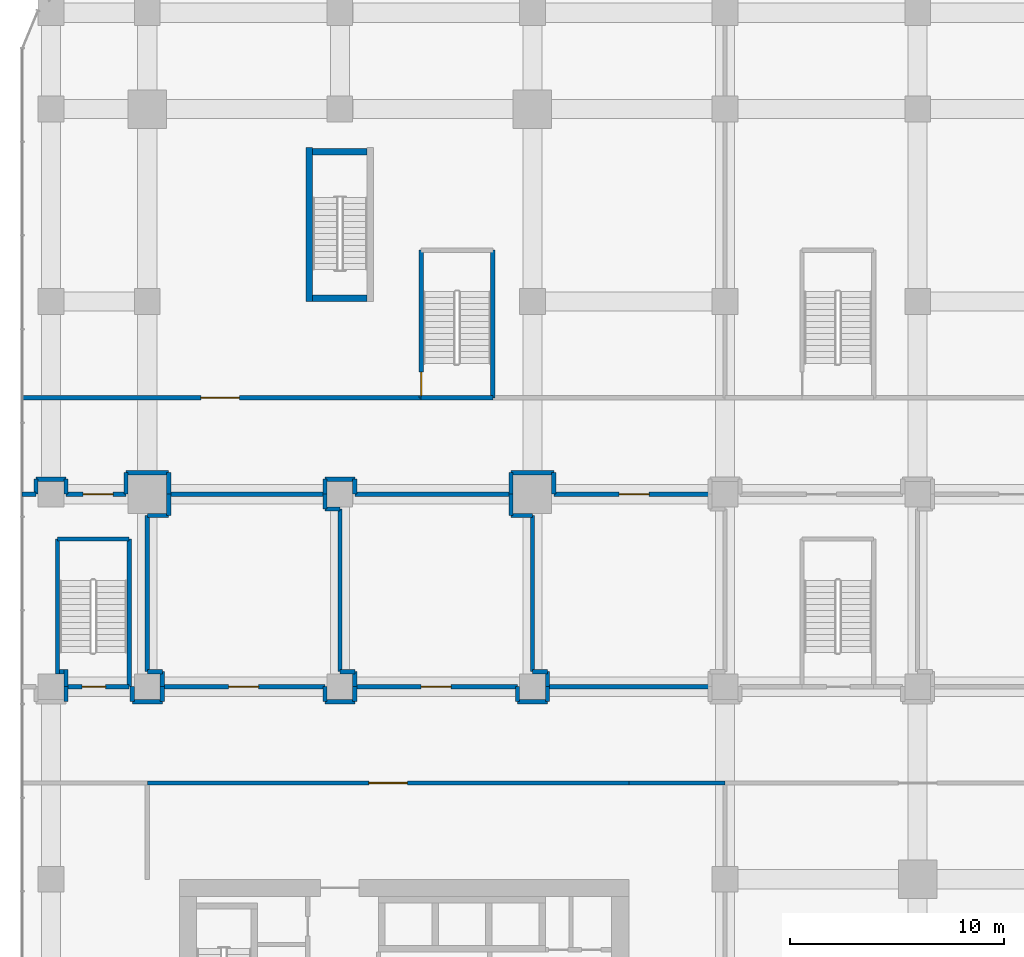
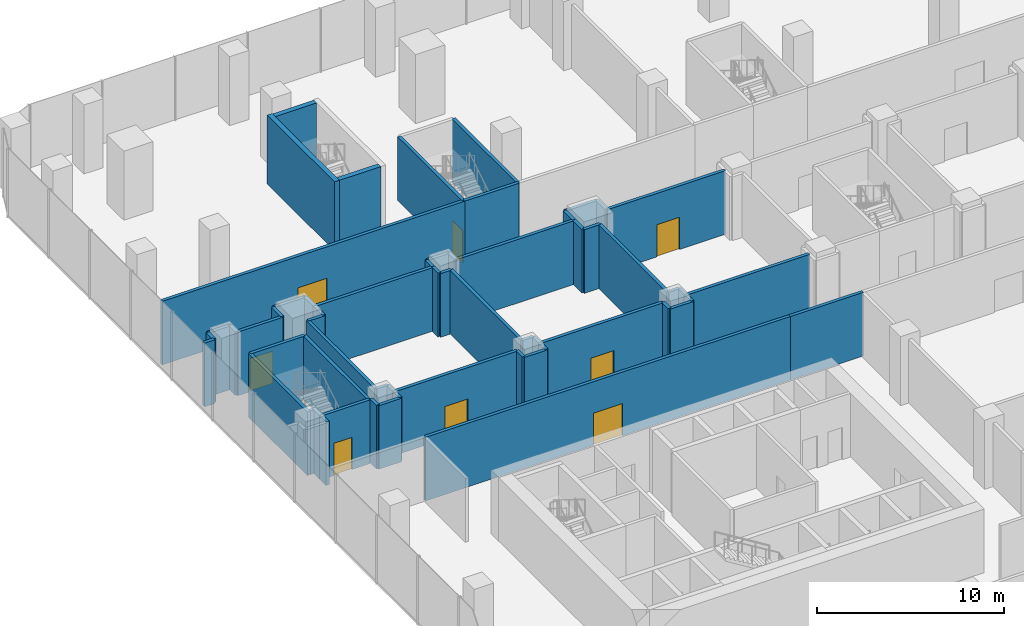
# One storey, part 31 of 43: 60 walls, 8 doors, 8 openings.
"""IFC4 building model written with IfcOpenShell, lengths in metres."""

from ifc_helpers import new_model, si_unit, direction, frame, frame_2d, origin, place, context, subcontext, project, spatial, rectangle, extrude, material, layer, layer_set, type_object, element, fill, save


model = new_model("IFC4")

# Units and contexts
model_context = context("Model", 3, precision=1e-05, world=origin(), true_north=direction((0.0, 1.0)))
body_context = subcontext(model_context, "Body", "Model", "MODEL_VIEW")
ifc_project = project(units=[si_unit("LENGTHUNIT", "METRE"), si_unit("AREAUNIT", "SQUARE_METRE"), si_unit("VOLUMEUNIT", "CUBIC_METRE"), si_unit("PLANEANGLEUNIT", "RADIAN"), si_unit("MASSUNIT", "GRAM", prefix="KILO")], contexts=[model_context])

# Site, building, storey
site_placement = place(None, origin())
site = spatial("IfcSite", under=ifc_project, at=site_placement, CompositionType="ELEMENT")
building_placement = place(site_placement, origin())
building = spatial("IfcBuilding", under=site, at=building_placement, Name="Plateau Cross Towers", CompositionType="ELEMENT")
storey_placement = place(building_placement, frame((0.0, 0.0, 17.300048828125)))
storey = spatial("IfcBuildingStorey", under=building, at=storey_placement, Name="L03", CompositionType="ELEMENT", Elevation=17.300048828125)

# Wall, opening, door
ifc_material_1 = material(Name="Gypsum board on steel studs", Category="steel")
ifc_layer_1 = layer(ifc_material_1, 0.199951171875)
ifc_layer_set_1 = layer_set([ifc_layer_1], Name="Gypsum board on steel studs")
wall_type_1 = type_object("IfcWallType", Name="Podium partition 200", PredefinedType="PARTITIONING", material=ifc_layer_set_1)
wall_1_placement = place(storey_placement, frame((0.0, 22.5, 0.0), z_axis=(0.0, 0.0, 1.0), x_axis=(1.0, 0.0, 0.0)))
wall_1 = element("IfcWall", 1, at=wall_1_placement, inside=storey, type_object=wall_type_1, Name="Partition wall", PredefinedType="PARTITIONING", context=body_context, shape_type="SweptSolid", body=[
    extrude(rectangle(XDim=22.5, YDim=0.199951171875, at=frame_2d((11.25, 0.0))), origin(), (0.0, 0.0, 1.0), 4.14990234375),
])
opening_1_placement = place(wall_1_placement, frame((10.35009765625, 0.0, 0.0)))
opening_1 = element("IfcOpeningElement", 2, at=opening_1_placement, cuts=wall_1, Name="Opening 03-36", PredefinedType="OPENING", context=body_context, shape_type="SweptSolid", body=[
    extrude(rectangle(XDim=1.800048828125, YDim=2.10009765625, at=frame_2d((0.89990234375, 1.050048828125))), frame((0.0, 0.10986328125, 0.0), z_axis=(0.0, -1.0, 0.0), x_axis=(1.0, 0.0, 0.0)), (0.0, 0.0, 1.0), 0.219970703125),
])
ifc_material_2 = material(Name="Aluminium frame, toughened glass", Category="aluminium")
door_type_1 = type_object("IfcDoorType", Name="Podium door pair 1800", OperationType="NOTDEFINED", PredefinedType="DOOR", material=ifc_material_2)
door_1_placement = place(opening_1_placement, origin())
door_1 = element("IfcDoor", 3, at=door_1_placement, inside=storey, type_object=door_type_1, Name="Door 03-36", OperationType="DOUBLE_DOOR_SINGLE_SWING", OverallHeight=2.10009765625, OverallWidth=1.800048828125, PredefinedType="DOOR", context=body_context, shape_type="SweptSolid", body=[
    extrude(rectangle(XDim=1.800048828125, YDim=2.10009765625, at=frame_2d((0.89990234375, 1.050048828125))), frame((0.0, 0.02490234375, 0.0), z_axis=(0.0, -1.0, 0.0), x_axis=(1.0, 0.0, 0.0)), (0.0, 0.0, 1.0), 0.050048828125),
])
fill(opening_1, door_1)

# Wall
wall_2_placement = place(storey_placement, frame((22.5, 22.5, 0.0), z_axis=(0.0, 0.0, 1.0), x_axis=(1.0, 0.0, 0.0)))
element("IfcWall", 4, at=wall_2_placement, inside=storey, type_object=wall_type_1, Name="Partition wall", PredefinedType="PARTITIONING", context=body_context, shape_type="SweptSolid", body=[
    extrude(rectangle(XDim=4.5, YDim=0.199951171875, at=frame_2d((2.25, 0.0))), origin(), (0.0, 0.0, 1.0), 4.14990234375),
])

# Wall, opening, door
wall_3_placement = place(storey_placement, frame((-5.85009765625, 40.5, 0.0), z_axis=(0.0, 0.0, 1.0), x_axis=(1.0, 0.0, 0.0)))
wall_3 = element("IfcWall", 5, at=wall_3_placement, inside=storey, type_object=wall_type_1, Name="Partition wall", PredefinedType="PARTITIONING", context=body_context, shape_type="SweptSolid", body=[
    extrude(rectangle(XDim=18.650146484375, YDim=0.199951171875, at=frame_2d((9.3251953125, 0.0))), origin(), (0.0, 0.0, 1.0), 4.14990234375),
])
opening_2_placement = place(wall_3_placement, frame((8.35009765625, 0.0, 0.0)))
opening_2 = element("IfcOpeningElement", 6, at=opening_2_placement, cuts=wall_3, Name="Opening 03-34", PredefinedType="OPENING", context=body_context, shape_type="SweptSolid", body=[
    extrude(rectangle(XDim=1.800048828125, YDim=2.10009765625, at=frame_2d((0.89990234375, 1.050048828125))), frame((0.0, 0.10986328125, 0.0), z_axis=(0.0, -1.0, 0.0), x_axis=(1.0, 0.0, 0.0)), (0.0, 0.0, 1.0), 0.219970703125),
])
door_2_placement = place(opening_2_placement, origin())
door_2 = element("IfcDoor", 7, at=door_2_placement, inside=storey, type_object=door_type_1, Name="Door 03-34", OperationType="DOUBLE_DOOR_SINGLE_SWING", OverallHeight=2.10009765625, OverallWidth=1.800048828125, PredefinedType="DOOR", context=body_context, shape_type="SweptSolid", body=[
    extrude(rectangle(XDim=1.800048828125, YDim=2.10009765625, at=frame_2d((0.89990234375, 1.050048828125))), frame((0.0, 0.02490234375, 0.0), z_axis=(0.0, -1.0, 0.0), x_axis=(1.0, 0.0, 0.0)), (0.0, 0.0, 1.0), 0.050048828125),
])
fill(opening_2, door_2)

wall_4_placement = place(storey_placement, frame((26.300048828125, 36.0, 0.0), z_axis=(0.0, 0.0, 1.0), x_axis=(-1.0, 0.0, 0.0)))
wall_4 = element("IfcWall", 8, at=wall_4_placement, inside=storey, type_object=wall_type_1, Name="Partition wall", PredefinedType="PARTITIONING", context=body_context, shape_type="SweptSolid", body=[
    extrude(rectangle(XDim=7.300048828125, YDim=0.199951171875, at=frame_2d((3.64990234375, 0.0))), origin(), (0.0, 0.0, 1.0), 4.14990234375),
])
opening_3_placement = place(wall_4_placement, frame((2.85009765625, 0.0, 0.0)))
opening_3 = element("IfcOpeningElement", 9, at=opening_3_placement, cuts=wall_4, Name="Opening 03-22", PredefinedType="OPENING", context=body_context, shape_type="SweptSolid", body=[
    extrude(rectangle(XDim=1.39990234375, YDim=2.10009765625, at=frame_2d((0.699951171875, 1.050048828125))), frame((0.0, 0.10986328125, 0.0), z_axis=(0.0, -1.0, 0.0), x_axis=(1.0, 0.0, 0.0)), (0.0, 0.0, 1.0), 0.219970703125),
])
ifc_material_3 = material(Name="Timber, hospital grade leaf", Category="wood")
door_type_2 = type_object("IfcDoorType", Name="Clinic bed access door 1400x2100", OperationType="NOTDEFINED", PredefinedType="DOOR", material=ifc_material_3)
door_3_placement = place(opening_3_placement, origin())
door_3 = element("IfcDoor", 10, at=door_3_placement, inside=storey, type_object=door_type_2, Name="Door 03-22", OperationType="SINGLE_SWING_LEFT", OverallHeight=2.10009765625, OverallWidth=1.39990234375, PredefinedType="DOOR", context=body_context, shape_type="SweptSolid", body=[
    extrude(rectangle(XDim=1.39990234375, YDim=2.10009765625, at=frame_2d((0.699951171875, 1.050048828125))), frame((0.0, 0.02490234375, 0.0), z_axis=(0.0, -1.0, 0.0), x_axis=(1.0, 0.0, 0.0)), (0.0, 0.0, 1.0), 0.050048828125),
])
fill(opening_3, door_3)

# Walls
wall_5_placement = place(storey_placement, frame((19.0, 36.0, 0.0), z_axis=(0.0, 0.0, 1.0), x_axis=(0.0, 1.0, 0.0)))
element("IfcWall", 11, at=wall_5_placement, inside=storey, type_object=wall_type_1, Name="Partition wall", PredefinedType="PARTITIONING", context=body_context, shape_type="SweptSolid", body=[
    extrude(rectangle(XDim=1.0, YDim=0.199951171875, at=frame_2d((0.5, 0.0))), origin(), (0.0, 0.0, 1.0), 4.14990234375),
])
wall_6_placement = place(storey_placement, frame((19.0, 37.0, 0.0), z_axis=(0.0, 0.0, 1.0), x_axis=(-1.0, 0.0, 0.0)))
element("IfcWall", 12, at=wall_6_placement, inside=storey, type_object=wall_type_1, Name="Partition wall", PredefinedType="PARTITIONING", context=body_context, shape_type="SweptSolid", body=[
    extrude(rectangle(XDim=2.0, YDim=0.199951171875, at=frame_2d((1.0, 0.0))), origin(), (0.0, 0.0, 1.0), 4.14990234375),
])
for number, where, z_axis, x_axis, name in (
    (13, (17.0, 37.0, 0.0), (0.0, 0.0, 1.0), (0.0, -1.0, 0.0), "Partition wall"),
    (14, (17.0, 36.0, 0.0), (0.0, 0.0, 1.0), (0.0, -1.0, 0.0), "Partition wall"),
    (15, (17.0, 35.0, 0.0), (0.0, 0.0, 1.0), (1.0, 0.0, 0.0), "Partition wall"),
):
    element("IfcWall", number, at=place(storey_placement, frame(where, z_axis=z_axis, x_axis=x_axis)), inside=storey, type_object=wall_type_1, Name=name, PredefinedType="PARTITIONING", context=body_context, shape_type="SweptSolid", body=[
        extrude(rectangle(XDim=1.0, YDim=0.199951171875, at=frame_2d((0.5, 0.0))), origin(), (0.0, 0.0, 1.0), 4.14990234375),
    ])
wall_7_placement = place(storey_placement, frame((18.0, 35.0, 0.0), z_axis=(0.0, 0.0, 1.0), x_axis=(0.0, -1.0, 0.0)))
element("IfcWall", 16, at=wall_7_placement, inside=storey, type_object=wall_type_1, Name="Partition wall", PredefinedType="PARTITIONING", context=body_context, shape_type="SweptSolid", body=[
    extrude(rectangle(XDim=7.300048828125, YDim=0.199951171875, at=frame_2d((3.64990234375, 0.0))), origin(), (0.0, 0.0, 1.0), 4.14990234375),
])
for number, where, z_axis, x_axis, name in (
    (17, (18.0, 27.699951171875, 0.0), (0.0, 0.0, 1.0), (1.0, 0.0, 0.0), "Partition wall"),
    (18, (18.699951171875, 27.699951171875, 0.0), (0.0, 0.0, 1.0), (0.0, -1.0, 0.0), "Partition wall"),
):
    element("IfcWall", number, at=place(storey_placement, frame(where, z_axis=z_axis, x_axis=x_axis)), inside=storey, type_object=wall_type_1, Name=name, PredefinedType="PARTITIONING", context=body_context, shape_type="SweptSolid", body=[
        extrude(rectangle(XDim=0.699951171875, YDim=0.199951171875, at=frame_2d((0.35009765625, 0.0))), origin(), (0.0, 0.0, 1.0), 4.14990234375),
    ])
for number, where, z_axis, x_axis, name in (
    (19, (1.0, 36.0, 0.0), (0.0, 0.0, 1.0), (0.0, -1.0, 0.0), "Partition wall"),
    (20, (1.0, 35.0, 0.0), (0.0, 0.0, 1.0), (-1.0, 0.0, 0.0), "Partition wall"),
):
    element("IfcWall", number, at=place(storey_placement, frame(where, z_axis=z_axis, x_axis=x_axis)), inside=storey, type_object=wall_type_1, Name=name, PredefinedType="PARTITIONING", context=body_context, shape_type="SweptSolid", body=[
        extrude(rectangle(XDim=1.0, YDim=0.199951171875, at=frame_2d((0.5, 0.0))), origin(), (0.0, 0.0, 1.0), 4.14990234375),
    ])
wall_8_placement = place(storey_placement, frame((0.0, 35.0, 0.0), z_axis=(0.0, 0.0, 1.0), x_axis=(0.0, -1.0, 0.0)))
element("IfcWall", 21, at=wall_8_placement, inside=storey, type_object=wall_type_1, Name="Partition wall", PredefinedType="PARTITIONING", context=body_context, shape_type="SweptSolid", body=[
    extrude(rectangle(XDim=7.300048828125, YDim=0.199951171875, at=frame_2d((3.64990234375, 0.0))), origin(), (0.0, 0.0, 1.0), 4.14990234375),
])
for number, where, z_axis, x_axis, name in (
    (22, (0.0, 27.699951171875, 0.0), (0.0, 0.0, 1.0), (1.0, 0.0, 0.0), "Partition wall"),
    (23, (0.699951171875, 27.699951171875, 0.0), (0.0, 0.0, 1.0), (0.0, -1.0, 0.0), "Partition wall"),
):
    element("IfcWall", number, at=place(storey_placement, frame(where, z_axis=z_axis, x_axis=x_axis)), inside=storey, type_object=wall_type_1, Name=name, PredefinedType="PARTITIONING", context=body_context, shape_type="SweptSolid", body=[
        extrude(rectangle(XDim=0.699951171875, YDim=0.199951171875, at=frame_2d((0.35009765625, 0.0))), origin(), (0.0, 0.0, 1.0), 4.14990234375),
    ])

# Wall, opening, door
wall_9_placement = place(storey_placement, frame((9.699951171875, 27.0, 0.0), z_axis=(0.0, 0.0, 1.0), x_axis=(1.0, 0.0, 0.0)))
wall_9 = element("IfcWall", 24, at=wall_9_placement, inside=storey, type_object=wall_type_1, Name="Partition wall", PredefinedType="PARTITIONING", context=body_context, shape_type="SweptSolid", body=[
    extrude(rectangle(XDim=7.60009765625, YDim=0.199951171875, at=frame_2d((3.800048828125, 0.0))), origin(), (0.0, 0.0, 1.0), 4.14990234375),
])
opening_4_placement = place(wall_9_placement, frame((3.10009765625, 0.0, 0.0)))
opening_4 = element("IfcOpeningElement", 25, at=opening_4_placement, cuts=wall_9, Name="Opening 03-21", PredefinedType="OPENING", context=body_context, shape_type="SweptSolid", body=[
    extrude(rectangle(XDim=1.39990234375, YDim=2.10009765625, at=frame_2d((0.699951171875, 1.050048828125))), frame((0.0, 0.10986328125, 0.0), z_axis=(0.0, -1.0, 0.0), x_axis=(1.0, 0.0, 0.0)), (0.0, 0.0, 1.0), 0.219970703125),
])
door_4_placement = place(opening_4_placement, origin())
door_4 = element("IfcDoor", 26, at=door_4_placement, inside=storey, type_object=door_type_2, Name="Door 03-21", OperationType="SINGLE_SWING_LEFT", OverallHeight=2.10009765625, OverallWidth=1.39990234375, PredefinedType="DOOR", context=body_context, shape_type="SweptSolid", body=[
    extrude(rectangle(XDim=1.39990234375, YDim=2.10009765625, at=frame_2d((0.699951171875, 1.050048828125))), frame((0.0, 0.02490234375, 0.0), z_axis=(0.0, -1.0, 0.0), x_axis=(1.0, 0.0, 0.0)), (0.0, 0.0, 1.0), 0.050048828125),
])
fill(opening_4, door_4)

# Walls
wall_10_placement = place(storey_placement, frame((17.300048828125, 27.0, 0.0), z_axis=(0.0, 0.0, 1.0), x_axis=(0.0, -1.0, 0.0)))
element("IfcWall", 27, at=wall_10_placement, inside=storey, type_object=wall_type_1, Name="Partition wall", PredefinedType="PARTITIONING", context=body_context, shape_type="SweptSolid", body=[
    extrude(rectangle(XDim=0.699951171875, YDim=0.199951171875, at=frame_2d((0.35009765625, 0.0))), origin(), (0.0, 0.0, 1.0), 4.14990234375),
])
wall_11_placement = place(storey_placement, frame((17.300048828125, 26.300048828125, 0.0), z_axis=(0.0, 0.0, 1.0), x_axis=(1.0, 0.0, 0.0)))
element("IfcWall", 28, at=wall_11_placement, inside=storey, type_object=wall_type_1, Name="Partition wall", PredefinedType="PARTITIONING", context=body_context, shape_type="SweptSolid", body=[
    extrude(rectangle(XDim=1.39990234375, YDim=0.199951171875, at=frame_2d((0.699951171875, 0.0))), origin(), (0.0, 0.0, 1.0), 4.14990234375),
])
wall_12_placement = place(storey_placement, frame((18.699951171875, 26.300048828125, 0.0), z_axis=(0.0, 0.0, 1.0), x_axis=(0.0, 1.0, 0.0)))
element("IfcWall", 29, at=wall_12_placement, inside=storey, type_object=wall_type_1, Name="Partition wall", PredefinedType="PARTITIONING", context=body_context, shape_type="SweptSolid", body=[
    extrude(rectangle(XDim=0.699951171875, YDim=0.199951171875, at=frame_2d((0.35009765625, 0.0))), origin(), (0.0, 0.0, 1.0), 4.14990234375),
])

# Wall, opening, door
wall_13_placement = place(storey_placement, frame((0.699951171875, 27.0, 0.0), z_axis=(0.0, 0.0, 1.0), x_axis=(1.0, 0.0, 0.0)))
wall_13 = element("IfcWall", 30, at=wall_13_placement, inside=storey, type_object=wall_type_1, Name="Partition wall", PredefinedType="PARTITIONING", context=body_context, shape_type="SweptSolid", body=[
    extrude(rectangle(XDim=7.60009765625, YDim=0.199951171875, at=frame_2d((3.800048828125, 0.0))), origin(), (0.0, 0.0, 1.0), 4.14990234375),
])
opening_5_placement = place(wall_13_placement, frame((3.10009765625, 0.0, 0.0)))
opening_5 = element("IfcOpeningElement", 31, at=opening_5_placement, cuts=wall_13, Name="Opening 03-20", PredefinedType="OPENING", context=body_context, shape_type="SweptSolid", body=[
    extrude(rectangle(XDim=1.39990234375, YDim=2.10009765625, at=frame_2d((0.699951171875, 1.050048828125))), frame((0.0, 0.10986328125, 0.0), z_axis=(0.0, -1.0, 0.0), x_axis=(1.0, 0.0, 0.0)), (0.0, 0.0, 1.0), 0.219970703125),
])
door_5_placement = place(opening_5_placement, origin())
door_5 = element("IfcDoor", 32, at=door_5_placement, inside=storey, type_object=door_type_2, Name="Door 03-20", OperationType="SINGLE_SWING_LEFT", OverallHeight=2.10009765625, OverallWidth=1.39990234375, PredefinedType="DOOR", context=body_context, shape_type="SweptSolid", body=[
    extrude(rectangle(XDim=1.39990234375, YDim=2.10009765625, at=frame_2d((0.699951171875, 1.050048828125))), frame((0.0, 0.02490234375, 0.0), z_axis=(0.0, -1.0, 0.0), x_axis=(1.0, 0.0, 0.0)), (0.0, 0.0, 1.0), 0.050048828125),
])
fill(opening_5, door_5)

# Walls
wall_14_placement = place(storey_placement, frame((8.300048828125, 27.0, 0.0), z_axis=(0.0, 0.0, 1.0), x_axis=(0.0, -1.0, 0.0)))
element("IfcWall", 33, at=wall_14_placement, inside=storey, type_object=wall_type_1, Name="Partition wall", PredefinedType="PARTITIONING", context=body_context, shape_type="SweptSolid", body=[
    extrude(rectangle(XDim=0.699951171875, YDim=0.199951171875, at=frame_2d((0.35009765625, 0.0))), origin(), (0.0, 0.0, 1.0), 4.14990234375),
])
wall_15_placement = place(storey_placement, frame((8.300048828125, 26.300048828125, 0.0), z_axis=(0.0, 0.0, 1.0), x_axis=(1.0, 0.0, 0.0)))
element("IfcWall", 34, at=wall_15_placement, inside=storey, type_object=wall_type_1, Name="Partition wall", PredefinedType="PARTITIONING", context=body_context, shape_type="SweptSolid", body=[
    extrude(rectangle(XDim=1.39990234375, YDim=0.199951171875, at=frame_2d((0.699951171875, 0.0))), origin(), (0.0, 0.0, 1.0), 4.14990234375),
])
wall_16_placement = place(storey_placement, frame((9.699951171875, 26.300048828125, 0.0), z_axis=(0.0, 0.0, 1.0), x_axis=(0.0, 1.0, 0.0)))
element("IfcWall", 35, at=wall_16_placement, inside=storey, type_object=wall_type_1, Name="Partition wall", PredefinedType="PARTITIONING", context=body_context, shape_type="SweptSolid", body=[
    extrude(rectangle(XDim=0.699951171875, YDim=0.199951171875, at=frame_2d((0.35009765625, 0.0))), origin(), (0.0, 0.0, 1.0), 4.14990234375),
])
wall_17_placement = place(storey_placement, frame((16.89990234375, 36.0, 0.0), z_axis=(0.0, 0.0, 1.0), x_axis=(-1.0, 0.0, 0.0)))
element("IfcWall", 36, at=wall_17_placement, inside=storey, type_object=wall_type_1, Name="Partition wall", PredefinedType="PARTITIONING", context=body_context, shape_type="SweptSolid", body=[
    extrude(rectangle(XDim=7.199951171875, YDim=0.199951171875, at=frame_2d((3.60009765625, 0.0))), origin(), (0.0, 0.0, 1.0), 4.14990234375),
])
wall_18_placement = place(storey_placement, frame((9.699951171875, 36.0, 0.0), z_axis=(0.0, 0.0, 1.0), x_axis=(0.0, 1.0, 0.0)))
element("IfcWall", 37, at=wall_18_placement, inside=storey, type_object=wall_type_1, Name="Partition wall", PredefinedType="PARTITIONING", context=body_context, shape_type="SweptSolid", body=[
    extrude(rectangle(XDim=0.699951171875, YDim=0.199951171875, at=frame_2d((0.35009765625, 0.0))), origin(), (0.0, 0.0, 1.0), 4.14990234375),
])
wall_19_placement = place(storey_placement, frame((9.699951171875, 36.699951171875, 0.0), z_axis=(0.0, 0.0, 1.0), x_axis=(-1.0, 0.0, 0.0)))
element("IfcWall", 38, at=wall_19_placement, inside=storey, type_object=wall_type_1, Name="Partition wall", PredefinedType="PARTITIONING", context=body_context, shape_type="SweptSolid", body=[
    extrude(rectangle(XDim=1.39990234375, YDim=0.199951171875, at=frame_2d((0.699951171875, 0.0))), origin(), (0.0, 0.0, 1.0), 4.14990234375),
])
for number, where, z_axis, x_axis, name in (
    (39, (8.300048828125, 36.699951171875, 0.0), (0.0, 0.0, 1.0), (0.0, -1.0, 0.0), "Partition wall"),
    (40, (8.300048828125, 36.0, 0.0), (0.0, 0.0, 1.0), (0.0, -1.0, 0.0), "Partition wall"),
    (41, (8.300048828125, 35.300048828125, 0.0), (0.0, 0.0, 1.0), (1.0, 0.0, 0.0), "Partition wall"),
):
    element("IfcWall", number, at=place(storey_placement, frame(where, z_axis=z_axis, x_axis=x_axis)), inside=storey, type_object=wall_type_1, Name=name, PredefinedType="PARTITIONING", context=body_context, shape_type="SweptSolid", body=[
        extrude(rectangle(XDim=0.699951171875, YDim=0.199951171875, at=frame_2d((0.35009765625, 0.0))), origin(), (0.0, 0.0, 1.0), 4.14990234375),
    ])
wall_20_placement = place(storey_placement, frame((9.0, 35.300048828125, 0.0), z_axis=(0.0, 0.0, 1.0), x_axis=(0.0, -1.0, 0.0)))
element("IfcWall", 42, at=wall_20_placement, inside=storey, type_object=wall_type_1, Name="Partition wall", PredefinedType="PARTITIONING", context=body_context, shape_type="SweptSolid", body=[
    extrude(rectangle(XDim=7.60009765625, YDim=0.199951171875, at=frame_2d((3.800048828125, 0.0))), origin(), (0.0, 0.0, 1.0), 4.14990234375),
])
wall_21_placement = place(storey_placement, frame((18.800048828125, 27.0, 0.0), z_axis=(0.0, 0.0, 1.0), x_axis=(1.0, 0.0, 0.0)))
element("IfcWall", 43, at=wall_21_placement, inside=storey, type_object=wall_type_1, Name="Partition wall", PredefinedType="PARTITIONING", context=body_context, shape_type="SweptSolid", body=[
    extrude(rectangle(XDim=7.5, YDim=0.199951171875, at=frame_2d((3.75, 0.0))), origin(), (0.0, 0.0, 1.0), 4.14990234375),
])
wall_22_placement = place(storey_placement, frame((8.199951171875, 36.0, 0.0), z_axis=(0.0, 0.0, 1.0), x_axis=(-1.0, 0.0, 0.0)))
element("IfcWall", 44, at=wall_22_placement, inside=storey, type_object=wall_type_1, Name="Partition wall", PredefinedType="PARTITIONING", context=body_context, shape_type="SweptSolid", body=[
    extrude(rectangle(XDim=7.199951171875, YDim=0.199951171875, at=frame_2d((3.60009765625, 0.0))), origin(), (0.0, 0.0, 1.0), 4.14990234375),
])
wall_23_placement = place(storey_placement, frame((1.0, 36.0, 0.0), z_axis=(0.0, 0.0, 1.0), x_axis=(0.0, 1.0, 0.0)))
element("IfcWall", 45, at=wall_23_placement, inside=storey, type_object=wall_type_1, Name="Partition wall", PredefinedType="PARTITIONING", context=body_context, shape_type="SweptSolid", body=[
    extrude(rectangle(XDim=1.0, YDim=0.199951171875, at=frame_2d((0.5, 0.0))), origin(), (0.0, 0.0, 1.0), 4.14990234375),
])
wall_24_placement = place(storey_placement, frame((1.0, 37.0, 0.0), z_axis=(0.0, 0.0, 1.0), x_axis=(-1.0, 0.0, 0.0)))
element("IfcWall", 46, at=wall_24_placement, inside=storey, type_object=wall_type_1, Name="Partition wall", PredefinedType="PARTITIONING", context=body_context, shape_type="SweptSolid", body=[
    extrude(rectangle(XDim=2.0, YDim=0.199951171875, at=frame_2d((1.0, 0.0))), origin(), (0.0, 0.0, 1.0), 4.14990234375),
])
wall_25_placement = place(storey_placement, frame((-1.0, 37.0, 0.0), z_axis=(0.0, 0.0, 1.0), x_axis=(0.0, -1.0, 0.0)))
element("IfcWall", 47, at=wall_25_placement, inside=storey, type_object=wall_type_1, Name="Partition wall", PredefinedType="PARTITIONING", context=body_context, shape_type="SweptSolid", body=[
    extrude(rectangle(XDim=1.0, YDim=0.199951171875, at=frame_2d((0.5, 0.0))), origin(), (0.0, 0.0, 1.0), 4.14990234375),
])

# Wall, opening, door
wall_26_placement = place(storey_placement, frame((-1.0, 36.0, 0.0), z_axis=(0.0, 0.0, 1.0), x_axis=(-1.0, 0.0, 0.0)))
wall_26 = element("IfcWall", 48, at=wall_26_placement, inside=storey, type_object=wall_type_1, Name="Partition wall", PredefinedType="PARTITIONING", context=body_context, shape_type="SweptSolid", body=[
    extrude(rectangle(XDim=2.800048828125, YDim=0.199951171875, at=frame_2d((1.39990234375, 0.0))), origin(), (0.0, 0.0, 1.0), 4.14990234375),
])
opening_6_placement = place(wall_26_placement, frame((0.60009765625, 0.0, 0.0)))
opening_6 = element("IfcOpeningElement", 49, at=opening_6_placement, cuts=wall_26, Name="Opening 03-19", PredefinedType="OPENING", context=body_context, shape_type="SweptSolid", body=[
    extrude(rectangle(XDim=1.39990234375, YDim=2.10009765625, at=frame_2d((0.699951171875, 1.050048828125))), frame((0.0, 0.10986328125, 0.0), z_axis=(0.0, -1.0, 0.0), x_axis=(1.0, 0.0, 0.0)), (0.0, 0.0, 1.0), 0.219970703125),
])
door_6_placement = place(opening_6_placement, origin())
door_6 = element("IfcDoor", 50, at=door_6_placement, inside=storey, type_object=door_type_2, Name="Door 03-19", OperationType="SINGLE_SWING_LEFT", OverallHeight=2.10009765625, OverallWidth=1.39990234375, PredefinedType="DOOR", context=body_context, shape_type="SweptSolid", body=[
    extrude(rectangle(XDim=1.39990234375, YDim=2.10009765625, at=frame_2d((0.699951171875, 1.050048828125))), frame((0.0, 0.02490234375, 0.0), z_axis=(0.0, -1.0, 0.0), x_axis=(1.0, 0.0, 0.0)), (0.0, 0.0, 1.0), 0.050048828125),
])
fill(opening_6, door_6)

# Walls
for number, where, z_axis, x_axis, name in (
    (51, (-3.800048828125, 26.300048828125, 0.0), (0.0, 0.0, 1.0), (0.0, 1.0, 0.0), "Partition wall"),
    (52, (-3.800048828125, 36.0, 0.0), (0.0, 0.0, 1.0), (0.0, 1.0, 0.0), "Partition wall"),
):
    element("IfcWall", number, at=place(storey_placement, frame(where, z_axis=z_axis, x_axis=x_axis)), inside=storey, type_object=wall_type_1, Name=name, PredefinedType="PARTITIONING", context=body_context, shape_type="SweptSolid", body=[
        extrude(rectangle(XDim=0.699951171875, YDim=0.199951171875, at=frame_2d((0.35009765625, 0.0))), origin(), (0.0, 0.0, 1.0), 4.14990234375),
    ])
wall_27_placement = place(storey_placement, frame((-3.800048828125, 36.699951171875, 0.0), z_axis=(0.0, 0.0, 1.0), x_axis=(-1.0, 0.0, 0.0)))
element("IfcWall", 53, at=wall_27_placement, inside=storey, type_object=wall_type_1, Name="Partition wall", PredefinedType="PARTITIONING", context=body_context, shape_type="SweptSolid", body=[
    extrude(rectangle(XDim=1.39990234375, YDim=0.199951171875, at=frame_2d((0.699951171875, 0.0))), origin(), (0.0, 0.0, 1.0), 4.14990234375),
])
wall_28_placement = place(storey_placement, frame((-5.199951171875, 36.699951171875, 0.0), z_axis=(0.0, 0.0, 1.0), x_axis=(0.0, -1.0, 0.0)))
element("IfcWall", 54, at=wall_28_placement, inside=storey, type_object=wall_type_1, Name="Partition wall", PredefinedType="PARTITIONING", context=body_context, shape_type="SweptSolid", body=[
    extrude(rectangle(XDim=0.699951171875, YDim=0.199951171875, at=frame_2d((0.35009765625, 0.0))), origin(), (0.0, 0.0, 1.0), 4.14990234375),
])
wall_29_placement = place(storey_placement, frame((-5.199951171875, 36.0, 0.0), z_axis=(0.0, 0.0, 1.0), x_axis=(-1.0, 0.0, 0.0)))
element("IfcWall", 55, at=wall_29_placement, inside=storey, type_object=wall_type_1, Name="Partition wall", PredefinedType="PARTITIONING", context=body_context, shape_type="SweptSolid", body=[
    extrude(rectangle(XDim=0.650146484375, YDim=0.199951171875, at=frame_2d((0.3251953125, 0.0))), origin(), (0.0, 0.0, 1.0), 4.14990234375),
])
wall_30_placement = place(storey_placement, frame((-0.699951171875, 27.0, 0.0), z_axis=(0.0, 0.0, 1.0), x_axis=(0.0, -1.0, 0.0)))
element("IfcWall", 56, at=wall_30_placement, inside=storey, type_object=wall_type_1, Name="Partition wall", PredefinedType="PARTITIONING", context=body_context, shape_type="SweptSolid", body=[
    extrude(rectangle(XDim=0.699951171875, YDim=0.199951171875, at=frame_2d((0.35009765625, 0.0))), origin(), (0.0, 0.0, 1.0), 4.14990234375),
])
wall_31_placement = place(storey_placement, frame((-0.699951171875, 26.300048828125, 0.0), z_axis=(0.0, 0.0, 1.0), x_axis=(1.0, 0.0, 0.0)))
element("IfcWall", 57, at=wall_31_placement, inside=storey, type_object=wall_type_1, Name="Partition wall", PredefinedType="PARTITIONING", context=body_context, shape_type="SweptSolid", body=[
    extrude(rectangle(XDim=1.39990234375, YDim=0.199951171875, at=frame_2d((0.699951171875, 0.0))), origin(), (0.0, 0.0, 1.0), 4.14990234375),
])
for number, where, z_axis, x_axis, name in (
    (58, (9.0, 27.699951171875, 0.0), (0.0, 0.0, 1.0), (1.0, 0.0, 0.0), "Partition wall"),
    (59, (9.699951171875, 27.699951171875, 0.0), (0.0, 0.0, 1.0), (0.0, -1.0, 0.0), "Partition wall"),
    (60, (0.699951171875, 26.300048828125, 0.0), (0.0, 0.0, 1.0), (0.0, 1.0, 0.0), "Partition wall"),
):
    element("IfcWall", number, at=place(storey_placement, frame(where, z_axis=z_axis, x_axis=x_axis)), inside=storey, type_object=wall_type_1, Name=name, PredefinedType="PARTITIONING", context=body_context, shape_type="SweptSolid", body=[
        extrude(rectangle(XDim=0.699951171875, YDim=0.199951171875, at=frame_2d((0.35009765625, 0.0))), origin(), (0.0, 0.0, 1.0), 4.14990234375),
    ])

# Wall, opening, door
ifc_material_4 = material(Name="Fire-rated plasterboard shaft wall system")
ifc_layer_2 = layer(ifc_material_4, 0.199951171875)
ifc_layer_set_2 = layer_set([ifc_layer_2], Name="Fire-rated plasterboard shaft wall system")
wall_type_2 = type_object("IfcWallType", Name="Podium stair shaft wall 200", PredefinedType="PARTITIONING", material=ifc_layer_set_2)
wall_32_placement = place(storey_placement, frame((12.800048828125, 40.5, 0.0), z_axis=(0.0, 0.0, 1.0), x_axis=(0.0, 1.0, 0.0)))
wall_32 = element("IfcWall", 61, at=wall_32_placement, inside=storey, type_object=wall_type_2, Name="Partition wall", PredefinedType="PARTITIONING", context=body_context, shape_type="SweptSolid", body=[
    extrude(rectangle(XDim=6.89990234375, YDim=0.199951171875, at=frame_2d((3.449951171875, 0.0))), origin(), (0.0, 0.0, 1.0), 4.14990234375),
])
opening_7_placement = place(wall_32_placement, frame((0.10009765625, 0.0, 0.0)))
opening_7 = element("IfcOpeningElement", 62, at=opening_7_placement, cuts=wall_32, Name="Opening 03-06", PredefinedType="OPENING", context=body_context, shape_type="SweptSolid", body=[
    extrude(rectangle(XDim=1.10009765625, YDim=2.10009765625, at=frame_2d((0.550048828125, 1.050048828125))), frame((0.0, 0.10986328125, 0.0), z_axis=(0.0, -1.0, 0.0), x_axis=(1.0, 0.0, 0.0)), (0.0, 0.0, 1.0), 0.219970703125),
])
ifc_material_5 = material(Name="Steel, fire-resisting leaf", Category="steel")
door_type_3 = type_object("IfcDoorType", Name="Podium stair door 1100", OperationType="NOTDEFINED", PredefinedType="DOOR", material=ifc_material_5)
door_7_placement = place(opening_7_placement, origin())
door_7 = element("IfcDoor", 63, at=door_7_placement, inside=storey, type_object=door_type_3, Name="Door 03-06", OperationType="SINGLE_SWING_LEFT", OverallHeight=2.10009765625, OverallWidth=1.10009765625, PredefinedType="DOOR", context=body_context, shape_type="SweptSolid", body=[
    extrude(rectangle(XDim=1.10009765625, YDim=2.10009765625, at=frame_2d((0.550048828125, 1.050048828125))), frame((0.0, 0.02490234375, 0.0), z_axis=(0.0, -1.0, 0.0), x_axis=(1.0, 0.0, 0.0)), (0.0, 0.0, 1.0), 0.050048828125),
])
fill(opening_7, door_7)

# Walls
wall_33_placement = place(storey_placement, frame((16.14990234375, 47.39990234375, 0.0), z_axis=(0.0, 0.0, 1.0), x_axis=(0.0, -1.0, 0.0)))
element("IfcWall", 64, at=wall_33_placement, inside=storey, type_object=wall_type_2, Name="Partition wall", PredefinedType="PARTITIONING", context=body_context, shape_type="SweptSolid", body=[
    extrude(rectangle(XDim=6.89990234375, YDim=0.199951171875, at=frame_2d((3.449951171875, 0.0))), origin(), (0.0, 0.0, 1.0), 4.14990234375),
])
wall_34_placement = place(storey_placement, frame((-4.199951171875, 33.89990234375, 0.0), z_axis=(0.0, 0.0, 1.0), x_axis=(1.0, 0.0, 0.0)))
element("IfcWall", 65, at=wall_34_placement, inside=storey, type_object=wall_type_2, Name="Partition wall", PredefinedType="PARTITIONING", context=body_context, shape_type="SweptSolid", body=[
    extrude(rectangle(XDim=3.349853515625, YDim=0.199951171875, at=frame_2d((1.6748046875, 0.0))), origin(), (0.0, 0.0, 1.0), 4.14990234375),
])
wall_35_placement = place(storey_placement, frame((-0.85009765625, 33.89990234375, 0.0), z_axis=(0.0, 0.0, 1.0), x_axis=(0.0, -1.0, 0.0)))
element("IfcWall", 66, at=wall_35_placement, inside=storey, type_object=wall_type_2, Name="Partition wall", PredefinedType="PARTITIONING", context=body_context, shape_type="SweptSolid", body=[
    extrude(rectangle(XDim=6.89990234375, YDim=0.199951171875, at=frame_2d((3.449951171875, 0.0))), origin(), (0.0, 0.0, 1.0), 4.14990234375),
])
wall_36_placement = place(storey_placement, frame((-3.800048828125, 27.0, 0.0), z_axis=(0.0, 0.0, 1.0), x_axis=(0.0, 1.0, 0.0)))
element("IfcWall", 67, at=wall_36_placement, inside=storey, type_object=wall_type_2, Name="Partition wall", PredefinedType="PARTITIONING", context=body_context, shape_type="SweptSolid", body=[
    extrude(rectangle(XDim=0.800048828125, YDim=0.199951171875, at=frame_2d((0.39990234375, 0.0))), origin(), (0.0, 0.0, 1.0), 4.14990234375),
])
wall_37_placement = place(storey_placement, frame((-3.89990234375, 27.699951171875, 0.0), z_axis=(0.0, 0.0, 1.0), x_axis=(-1.0, 0.0, 0.0)))
element("IfcWall", 68, at=wall_37_placement, inside=storey, type_object=wall_type_2, Name="Partition wall", PredefinedType="PARTITIONING", context=body_context, shape_type="SweptSolid", body=[
    extrude(rectangle(XDim=0.2001953125, YDim=0.199951171875, at=frame_2d((0.10009765625, 0.0))), origin(), (0.0, 0.0, 1.0), 4.14990234375),
])
wall_38_placement = place(storey_placement, frame((-4.199951171875, 27.60009765625, 0.0), z_axis=(0.0, 0.0, 1.0), x_axis=(0.0, 1.0, 0.0)))
element("IfcWall", 69, at=wall_38_placement, inside=storey, type_object=wall_type_2, Name="Partition wall", PredefinedType="PARTITIONING", context=body_context, shape_type="SweptSolid", body=[
    extrude(rectangle(XDim=6.2998046875, YDim=0.199951171875, at=frame_2d((3.14990234375, 0.0))), origin(), (0.0, 0.0, 1.0), 4.14990234375),
])
wall_39_placement = place(storey_placement, frame((16.14990234375, 40.5, 0.0), z_axis=(0.0, 0.0, 1.0), x_axis=(-1.0, 0.0, 0.0)))
element("IfcWall", 70, at=wall_39_placement, inside=storey, type_object=wall_type_2, Name="Partition wall", PredefinedType="PARTITIONING", context=body_context, shape_type="SweptSolid", body=[
    extrude(rectangle(XDim=3.349853515625, YDim=0.199951171875, at=frame_2d((1.6748046875, 0.0))), origin(), (0.0, 0.0, 1.0), 4.14990234375),
])

# Wall, opening, door
wall_40_placement = place(storey_placement, frame((-0.85009765625, 27.0, 0.0), z_axis=(0.0, 0.0, 1.0), x_axis=(-1.0, 0.0, 0.0)))
wall_40 = element("IfcWall", 71, at=wall_40_placement, inside=storey, type_object=wall_type_2, Name="Partition wall", PredefinedType="PARTITIONING", context=body_context, shape_type="SweptSolid", body=[
    extrude(rectangle(XDim=2.849853515625, YDim=0.199951171875, at=frame_2d((1.4248046875, 0.0))), origin(), (0.0, 0.0, 1.0), 4.14990234375),
])
opening_8_placement = place(wall_40_placement, frame((1.10009765625, 0.0, 0.0)))
opening_8 = element("IfcOpeningElement", 72, at=opening_8_placement, cuts=wall_40, Name="Opening 03-04", PredefinedType="OPENING", context=body_context, shape_type="SweptSolid", body=[
    extrude(rectangle(XDim=1.10009765625, YDim=2.10009765625, at=frame_2d((0.550048828125, 1.050048828125))), frame((0.0, 0.10986328125, 0.0), z_axis=(0.0, -1.0, 0.0), x_axis=(1.0, 0.0, 0.0)), (0.0, 0.0, 1.0), 0.219970703125),
])
door_8_placement = place(opening_8_placement, origin())
door_8 = element("IfcDoor", 73, at=door_8_placement, inside=storey, type_object=door_type_3, Name="Door 03-04", OperationType="SINGLE_SWING_LEFT", OverallHeight=2.10009765625, OverallWidth=1.10009765625, PredefinedType="DOOR", context=body_context, shape_type="SweptSolid", body=[
    extrude(rectangle(XDim=1.10009765625, YDim=2.10009765625, at=frame_2d((0.550048828125, 1.050048828125))), frame((0.0, 0.02490234375, 0.0), z_axis=(0.0, -1.0, 0.0), x_axis=(1.0, 0.0, 0.0)), (0.0, 0.0, 1.0), 0.050048828125),
])
fill(opening_8, door_8)

# Walls
ifc_material_6 = material(Name="Concrete C60/75", Category="concrete")
ifc_layer_3 = layer(ifc_material_6, 0.300048828125)
ifc_layer_set_3 = layer_set([ifc_layer_3], Name="Concrete C60/75")
wall_type_3 = type_object("IfcWallType", Name="Stair tower wall 300", PredefinedType="SHEAR", material=ifc_layer_set_3)
for number, where, z_axis, x_axis, name in (
    (74, (7.72509765625, 45.14990234375, 0.0), (0.0, 0.0, 1.0), (1.0, 0.0, 0.0), "A-end-N-S@L03"),
    (75, (7.72509765625, 52.0, 0.0), (0.0, 0.0, 1.0), (1.0, 0.0, 0.0), "A-end-N-N@L03"),
):
    element("IfcWall", number, at=place(storey_placement, frame(where, z_axis=z_axis, x_axis=x_axis)), inside=storey, type_object=wall_type_3, Name=name, PredefinedType="SHEAR", context=body_context, shape_type="SweptSolid", body=[
        extrude(rectangle(XDim=2.5498046875, YDim=0.300048828125, at=frame_2d((1.27490234375, 0.0))), origin(), (0.0, 0.0, 1.0), 4.5),
    ])
wall_41_placement = place(storey_placement, frame((7.574951171875, 45.0, 0.0), z_axis=(0.0, 0.0, 1.0), x_axis=(0.0, 1.0, 0.0)))
element("IfcWall", 76, at=wall_41_placement, inside=storey, type_object=wall_type_3, Name="A-end-N-W@L03", PredefinedType="SHEAR", context=body_context, shape_type="SweptSolid", body=[
    extrude(rectangle(XDim=7.199951171875, YDim=0.300048828125, at=frame_2d((3.60009765625, 0.0))), origin(), (0.0, 0.0, 1.0), 4.5),
])

save(model, "model.ifc")
